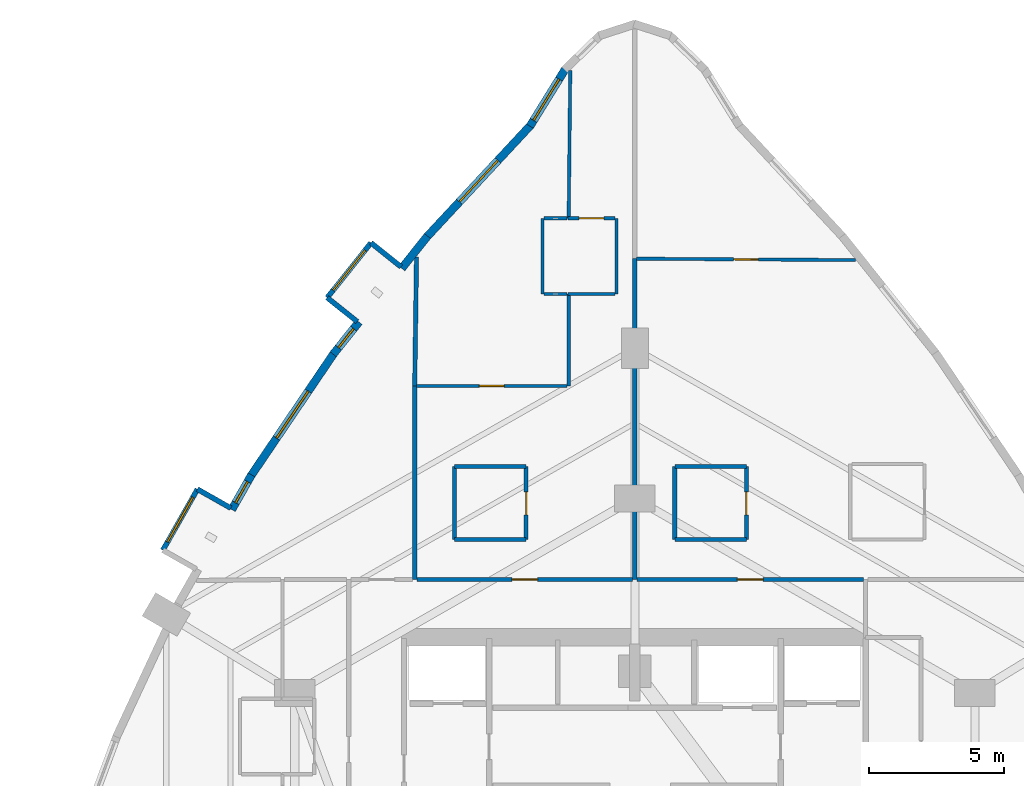
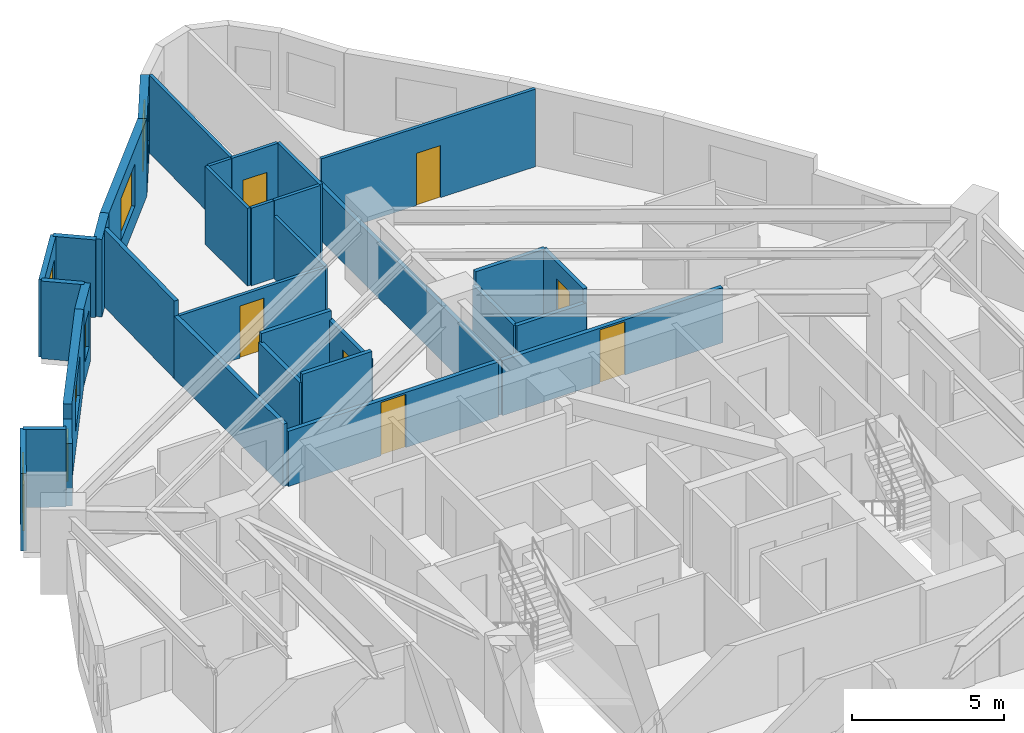
# One storey, part 13 of 15: 34 walls, 7 doors, 7 windows, 14 openings.
"""IFC4 building model written with IfcOpenShell, lengths in metres."""

from ifc_helpers import new_model, si_unit, direction, frame, frame_2d, origin, place, context, subcontext, project, spatial, rectangle, extrude, material, layer, layer_set, type_object, element, fill, save


model = new_model("IFC4")

# Units and contexts
model_context = context("Model", 3, precision=1e-05, world=origin(), true_north=direction((0.0, 1.0)))
body_context = subcontext(model_context, "Body", "Model", "MODEL_VIEW")
ifc_project = project(units=[si_unit("LENGTHUNIT", "METRE"), si_unit("AREAUNIT", "SQUARE_METRE"), si_unit("VOLUMEUNIT", "CUBIC_METRE"), si_unit("PLANEANGLEUNIT", "RADIAN"), si_unit("MASSUNIT", "GRAM", prefix="KILO")], contexts=[model_context])

# Site, building, storey
site_placement = place(None, origin())
site = spatial("IfcSite", under=ifc_project, at=site_placement, CompositionType="ELEMENT")
building_placement = place(site_placement, origin())
building = spatial("IfcBuilding", under=site, at=building_placement, Name="Miruveldt Soraemaru", CompositionType="ELEMENT")
storey_placement = place(building_placement, frame((0.0, 0.0, 32.60009765625)))
storey = spatial("IfcBuildingStorey", under=building, at=storey_placement, Name="L08", CompositionType="ELEMENT", Elevation=32.60009765625)

# Walls
ifc_material_1 = material(Name="White powder-coated aluminium EN AW-6060 T6", Category="aluminium")
ifc_layer_1 = layer(ifc_material_1, 0.18994140625, Name="White powder-coated aluminium EN AW-6060 T6", Category="aluminium")
ifc_layer_set_1 = layer_set([ifc_layer_1], Name="White powder-coated aluminium EN AW-6060 T6")
wall_type_1 = type_object("IfcWallType", Name="WALL-BAY-ALU190", PredefinedType="SOLIDWALL", material=ifc_layer_set_1)
for number, where, z_axis, x_axis, name in (
    (1, (35.338623046875, 66.18359375, 0.0), (0.0, 0.0, 1.0), (-0.781737193764, 0.623608017817, 0.0), "L08 Bay Window Side Cheek 1L"),
    (2, (32.60302734375, 65.039794921875, 0.0), (0.0, 0.0, 1.0), (0.781737193764, -0.623608017817, 0.0), "L08 Bay Window Side Cheek 1R"),
):
    element("IfcWall", number, at=place(storey_placement, frame(where, z_axis=z_axis, x_axis=x_axis)), inside=storey, type_object=wall_type_1, Name=name, PredefinedType="SOLIDWALL", context=body_context, shape_type="SweptSolid", body=[
        extrude(rectangle(XDim=1.425048828125, YDim=0.18994140625, at=frame_2d((0.71240234375, 0.0))), origin(), (0.0, 0.0, 1.0), 3.125),
    ])

# Wall, opening, window
wall_1_placement = place(storey_placement, frame((34.224609375, 67.072265625, 0.0), z_axis=(0.0, 0.0, 1.0), x_axis=(-0.623663926583, -0.781692590907, 0.0)))
wall_1 = element("IfcWall", 3, at=wall_1_placement, inside=storey, type_object=wall_type_1, Name="L08 Bay Window Front Frame 1", PredefinedType="SOLIDWALL", context=body_context, shape_type="SweptSolid", body=[
    extrude(rectangle(XDim=2.60009765625, YDim=0.18994140625, at=frame_2d((1.300048828125, 0.0))), origin(), (0.0, 0.0, 1.0), 3.125),
])
opening_1_placement = place(wall_1_placement, frame((0.35009765625, 0.0, 0.550048828125)))
opening_1 = element("IfcOpeningElement", 4, at=opening_1_placement, cuts=wall_1, Name="Opening WN-6", PredefinedType="OPENING", context=body_context, shape_type="SweptSolid", body=[
    extrude(rectangle(XDim=1.89990234375, YDim=1.85009765625, at=frame_2d((0.949951171875, 0.925048828125))), frame((0.0, 0.10498046875, 0.0), z_axis=(0.0, -1.0, 0.0), x_axis=(1.0, 0.0, 0.0)), (0.0, 0.0, 1.0), 0.2099609375),
])
ifc_material_2 = material(Name="Triple low-e insulated glazing", Category="glass")
window_type_1 = type_object("IfcWindowType", Name="WIN-BAYW-1900x1850", PartitioningType="SINGLE_PANEL", PredefinedType="WINDOW", material=ifc_material_2)
window_1_placement = place(opening_1_placement, origin())
window_1 = element("IfcWindow", 5, at=window_1_placement, inside=storey, type_object=window_type_1, Name="L08 Projecting Bay Window 1", OverallHeight=1.85009765625, OverallWidth=1.89990234375, PartitioningType="SINGLE_PANEL", PredefinedType="WINDOW", context=body_context, shape_type="SweptSolid", body=[
    extrude(rectangle(XDim=1.89990234375, YDim=1.85009765625, at=frame_2d((0.949951171875, 0.925048828125))), frame((0.0, 0.030029296875, 0.0), z_axis=(0.0, -1.0, 0.0), x_axis=(1.0, 0.0, 0.0)), (0.0, 0.0, 1.0), 0.06005859375),
])
fill(opening_1, window_1)

# Wall
wall_2_placement = place(storey_placement, frame((29.03466796875, 57.241943359375, 0.0), z_axis=(0.0, 0.0, 1.0), x_axis=(-0.869799191674, 0.493405883794, 0.0)))
element("IfcWall", 6, at=wall_2_placement, inside=storey, type_object=wall_type_1, Name="L08 Bay Window Side Cheek 2L", PredefinedType="SOLIDWALL", context=body_context, shape_type="SweptSolid", body=[
    extrude(rectangle(XDim=1.425048828125, YDim=0.18994140625, at=frame_2d((0.71240234375, 0.0))), origin(), (0.0, 0.0, 1.0), 3.125),
])

# Wall, opening, window
wall_3_placement = place(storey_placement, frame((27.795166015625, 57.945068359375, 0.0), z_axis=(0.0, 0.0, 1.0), x_axis=(-0.493396299813, -0.869804628253, 0.0)))
wall_3 = element("IfcWall", 7, at=wall_3_placement, inside=storey, type_object=wall_type_1, Name="L08 Bay Window Front Frame 2", PredefinedType="SOLIDWALL", context=body_context, shape_type="SweptSolid", body=[
    extrude(rectangle(XDim=2.600341796875, YDim=0.18994140625, at=frame_2d((1.30029296875, 0.0))), origin(), (0.0, 0.0, 1.0), 3.125),
])
opening_2_placement = place(wall_3_placement, frame((0.35009765625, 0.0, 0.550048828125)))
opening_2 = element("IfcOpeningElement", 8, at=opening_2_placement, cuts=wall_3, Name="Opening WN-6", PredefinedType="OPENING", context=body_context, shape_type="SweptSolid", body=[
    extrude(rectangle(XDim=1.89990234375, YDim=1.85009765625, at=frame_2d((0.949951171875, 0.925048828125))), frame((0.0, 0.10498046875, 0.0), z_axis=(0.0, -1.0, 0.0), x_axis=(1.0, 0.0, 0.0)), (0.0, 0.0, 1.0), 0.2099609375),
])
window_2_placement = place(opening_2_placement, origin())
window_2 = element("IfcWindow", 9, at=window_2_placement, inside=storey, type_object=window_type_1, Name="L08 Projecting Bay Window 2", OverallHeight=1.85009765625, OverallWidth=1.89990234375, PartitioningType="SINGLE_PANEL", PredefinedType="WINDOW", context=body_context, shape_type="SweptSolid", body=[
    extrude(rectangle(XDim=1.89990234375, YDim=1.85009765625, at=frame_2d((0.949951171875, 0.925048828125))), frame((0.0, 0.030029296875, 0.0), z_axis=(0.0, -1.0, 0.0), x_axis=(1.0, 0.0, 0.0)), (0.0, 0.0, 1.0), 0.06005859375),
])
fill(opening_2, window_2)

ifc_material_3 = material(Name="Precast concrete C45/55 (45 MPa)", Category="concrete")
ifc_layer_2 = layer(ifc_material_3, 0.300048828125, Name="Precast concrete C45/55 (45 MPa)", Category="concrete")
ifc_layer_set_2 = layer_set([ifc_layer_2], Name="Precast concrete C45/55 (45 MPa)")
wall_type_2 = type_object("IfcWallType", Name="WALL-EXT-PC300", PredefinedType="SOLIDWALL", material=ifc_layer_set_2)
wall_4_placement = place(storey_placement, frame((41.440185546875, 73.5361328125, 0.0), z_axis=(0.0, 0.0, 1.0), x_axis=(-0.526057803578, -0.850448815212, 0.0)))
wall_4 = element("IfcWall", 10, at=wall_4_placement, inside=storey, type_object=wall_type_2, Name="L08 Precast Concrete Facade Wall 6", PredefinedType="SOLIDWALL", context=body_context, shape_type="SweptSolid", body=[
    extrude(rectangle(XDim=2.5205078125, YDim=0.300048828125, at=frame_2d((1.26025390625, 0.0))), origin(), (0.0, 0.0, 1.0), 3.125),
])
opening_3_placement = place(wall_4_placement, frame((0.468994140625, 0.0, 0.800048828125)))
opening_3 = element("IfcOpeningElement", 11, at=opening_3_placement, cuts=wall_4, Name="Opening WN-2", PredefinedType="OPENING", context=body_context, shape_type="SweptSolid", body=[
    extrude(rectangle(XDim=1.800048828125, YDim=1.64990234375, at=frame_2d((0.89990234375, 0.824951171875))), frame((0.0, 0.16015625, 0.0), z_axis=(0.0, -1.0, 0.0), x_axis=(1.0, 0.0, 0.0)), (0.0, 0.0, 1.0), 0.320068359375),
])
window_type_2 = type_object("IfcWindowType", Name="WIN-PUNCH-1800x1650", PartitioningType="SINGLE_PANEL", PredefinedType="WINDOW", material=ifc_material_2)
window_3_placement = place(opening_3_placement, origin())
window_3 = element("IfcWindow", 12, at=window_3_placement, inside=storey, type_object=window_type_2, Name="L08 Punched Triple-Glazed Window 06.1", OverallHeight=1.64990234375, OverallWidth=1.800048828125, PartitioningType="SINGLE_PANEL", PredefinedType="WINDOW", context=body_context, shape_type="SweptSolid", body=[
    extrude(rectangle(XDim=1.800048828125, YDim=1.64990234375, at=frame_2d((0.89990234375, 0.824951171875))), frame((0.0, 0.030029296875, 0.0), z_axis=(0.0, -1.0, 0.0), x_axis=(1.0, 0.0, 0.0)), (0.0, 0.0, 1.0), 0.06005859375),
])
fill(opening_3, window_3)

wall_5_placement = place(storey_placement, frame((40.156494140625, 71.447998046875, 0.0), z_axis=(0.0, 0.0, 1.0), x_axis=(-0.680894211577, -0.732381780659, 0.0)))
wall_5 = element("IfcWall", 13, at=wall_5_placement, inside=storey, type_object=wall_type_2, Name="L08 Precast Concrete Facade Wall 7", PredefinedType="SOLIDWALL", context=body_context, shape_type="SweptSolid", body=[
    extrude(rectangle(XDim=5.704345703125, YDim=0.300048828125, at=frame_2d((2.85205078125, 0.0))), origin(), (0.0, 0.0, 1.0), 3.125),
])
opening_4_placement = place(wall_5_placement, frame((1.802001953125, 0.0, 0.800048828125)))
opening_4 = element("IfcOpeningElement", 14, at=opening_4_placement, cuts=wall_5, Name="Opening WN-1", PredefinedType="OPENING", context=body_context, shape_type="SweptSolid", body=[
    extrude(rectangle(XDim=2.10009765625, YDim=1.699951171875, at=frame_2d((1.050048828125, 0.85009765625))), frame((0.0, 0.16015625, 0.0), z_axis=(0.0, -1.0, 0.0), x_axis=(1.0, 0.0, 0.0)), (0.0, 0.0, 1.0), 0.320068359375),
])
window_type_3 = type_object("IfcWindowType", Name="WIN-PUNCH-2100x1700", PartitioningType="SINGLE_PANEL", PredefinedType="WINDOW", material=ifc_material_2)
window_4_placement = place(opening_4_placement, origin())
window_4 = element("IfcWindow", 15, at=window_4_placement, inside=storey, type_object=window_type_3, Name="L08 Punched Triple-Glazed Window 07.1", OverallHeight=1.699951171875, OverallWidth=2.10009765625, PartitioningType="SINGLE_PANEL", PredefinedType="WINDOW", context=body_context, shape_type="SweptSolid", body=[
    extrude(rectangle(XDim=2.10009765625, YDim=1.699951171875, at=frame_2d((1.050048828125, 0.85009765625))), frame((0.0, 0.030029296875, 0.0), z_axis=(0.0, -1.0, 0.0), x_axis=(1.0, 0.0, 0.0)), (0.0, 0.0, 1.0), 0.06005859375),
])
fill(opening_4, window_4)

# Wall
wall_6_placement = place(storey_placement, frame((36.318115234375, 67.3232421875, 0.0), z_axis=(0.0, 0.0, 1.0), x_axis=(-0.623625498771, -0.781723248524, 0.0)))
element("IfcWall", 16, at=wall_6_placement, inside=storey, type_object=wall_type_2, Name="L08 Precast Pier Wall 8A", PredefinedType="SOLIDWALL", context=body_context, shape_type="SweptSolid", body=[
    extrude(rectangle(XDim=1.531982421875, YDim=0.300048828125, at=frame_2d((0.76611328125, 0.0))), origin(), (0.0, 0.0, 1.0), 3.125),
])

# Wall, opening, window
wall_7_placement = place(storey_placement, frame((33.77880859375, 64.140380859375, 0.0), z_axis=(0.0, 0.0, 1.0), x_axis=(-0.623528092971, -0.781800944791, 0.0)))
wall_7 = element("IfcWall", 17, at=wall_7_placement, inside=storey, type_object=wall_type_2, Name="L08 Precast Pier Wall 8B", PredefinedType="SOLIDWALL", context=body_context, shape_type="SweptSolid", body=[
    extrude(rectangle(XDim=1.53173828125, YDim=0.300048828125, at=frame_2d((0.765869140625, 0.0))), origin(), (0.0, 0.0, 1.0), 3.125),
])
opening_5_placement = place(wall_7_placement, frame((0.31591796875, 0.0, 0.780029296875)))
opening_5 = element("IfcOpeningElement", 18, at=opening_5_placement, cuts=wall_7, Name="Opening WN-7", PredefinedType="OPENING", context=body_context, shape_type="SweptSolid", body=[
    extrude(rectangle(XDim=0.89990234375, YDim=1.5, at=frame_2d((0.449951171875, 0.75))), frame((0.0, 0.16015625, 0.0), z_axis=(0.0, -1.0, 0.0), x_axis=(1.0, 0.0, 0.0)), (0.0, 0.0, 1.0), 0.320068359375),
])
window_type_4 = type_object("IfcWindowType", Name="WIN-PUNCH-900x1500", PartitioningType="SINGLE_PANEL", PredefinedType="WINDOW", material=ifc_material_2)
window_5_placement = place(opening_5_placement, origin())
window_5 = element("IfcWindow", 19, at=window_5_placement, inside=storey, type_object=window_type_4, Name="L08 Punched Triple-Glazed Window 08B.1", OverallHeight=1.5, OverallWidth=0.89990234375, PartitioningType="SINGLE_PANEL", PredefinedType="WINDOW", context=body_context, shape_type="SweptSolid", body=[
    extrude(rectangle(XDim=0.89990234375, YDim=1.5, at=frame_2d((0.449951171875, 0.75))), frame((0.0, 0.030029296875, 0.0), z_axis=(0.0, -1.0, 0.0), x_axis=(1.0, 0.0, 0.0)), (0.0, 0.0, 1.0), 0.06005859375),
])
fill(opening_5, window_5)

wall_8_placement = place(storey_placement, frame((32.864990234375, 62.999267578125, 0.0), z_axis=(0.0, 0.0, 1.0), x_axis=(-0.560813032948, -0.827942475101, 0.0)))
wall_8 = element("IfcWall", 20, at=wall_8_placement, inside=storey, type_object=wall_type_2, Name="L08 Precast Concrete Facade Wall 9", PredefinedType="SOLIDWALL", context=body_context, shape_type="SweptSolid", body=[
    extrude(rectangle(XDim=5.534912109375, YDim=0.300048828125, at=frame_2d((2.767578125, 0.0))), origin(), (0.0, 0.0, 1.0), 3.125),
])
opening_6_placement = place(wall_8_placement, frame((1.718017578125, 0.0, 0.800048828125)))
opening_6 = element("IfcOpeningElement", 21, at=opening_6_placement, cuts=wall_8, Name="Opening WN-1", PredefinedType="OPENING", context=body_context, shape_type="SweptSolid", body=[
    extrude(rectangle(XDim=2.10009765625, YDim=1.699951171875, at=frame_2d((1.050048828125, 0.85009765625))), frame((0.0, 0.16015625, 0.0), z_axis=(0.0, -1.0, 0.0), x_axis=(1.0, 0.0, 0.0)), (0.0, 0.0, 1.0), 0.320068359375),
])
window_6_placement = place(opening_6_placement, origin())
window_6 = element("IfcWindow", 22, at=window_6_placement, inside=storey, type_object=window_type_3, Name="L08 Punched Triple-Glazed Window 09.1", OverallHeight=1.699951171875, OverallWidth=2.10009765625, PartitioningType="SINGLE_PANEL", PredefinedType="WINDOW", context=body_context, shape_type="SweptSolid", body=[
    extrude(rectangle(XDim=2.10009765625, YDim=1.699951171875, at=frame_2d((1.050048828125, 0.85009765625))), frame((0.0, 0.030029296875, 0.0), z_axis=(0.0, -1.0, 0.0), x_axis=(1.0, 0.0, 0.0)), (0.0, 0.0, 1.0), 0.06005859375),
])
fill(opening_6, window_6)

wall_9_placement = place(storey_placement, frame((29.7978515625, 58.47607421875, 0.0), z_axis=(0.0, 0.0, 1.0), x_axis=(-0.493382949602, -0.86981220102, 0.0)))
wall_9 = element("IfcWall", 23, at=wall_9_placement, inside=storey, type_object=wall_type_2, Name="L08 Precast Pier Wall 10A", PredefinedType="SOLIDWALL", context=body_context, shape_type="SweptSolid", body=[
    extrude(rectangle(XDim=1.47998046875, YDim=0.300048828125, at=frame_2d((0.739990234375, 0.0))), origin(), (0.0, 0.0, 1.0), 2.512939453125),
])
opening_7_placement = place(wall_9_placement, frame((0.2900390625, 0.0, 0.780029296875)))
opening_7 = element("IfcOpeningElement", 24, at=opening_7_placement, cuts=wall_9, Name="Opening WN-7", PredefinedType="OPENING", context=body_context, shape_type="SweptSolid", body=[
    extrude(rectangle(XDim=0.89990234375, YDim=1.5, at=frame_2d((0.449951171875, 0.75))), frame((0.0, 0.16015625, 0.0), z_axis=(0.0, -1.0, 0.0), x_axis=(1.0, 0.0, 0.0)), (0.0, 0.0, 1.0), 0.320068359375),
])
window_7_placement = place(opening_7_placement, origin())
window_7 = element("IfcWindow", 25, at=window_7_placement, inside=storey, type_object=window_type_4, Name="L08 Punched Triple-Glazed Window 10A.1", OverallHeight=1.5, OverallWidth=0.89990234375, PartitioningType="SINGLE_PANEL", PredefinedType="WINDOW", context=body_context, shape_type="SweptSolid", body=[
    extrude(rectangle(XDim=0.89990234375, YDim=1.5, at=frame_2d((0.449951171875, 0.75))), frame((0.0, 0.030029296875, 0.0), z_axis=(0.0, -1.0, 0.0), x_axis=(1.0, 0.0, 0.0)), (0.0, 0.0, 1.0), 0.06005859375),
])
fill(opening_7, window_7)

# Wall, opening, door
ifc_material_4 = material(Name="Gypsum plasterboard lining", Category="gypsum")
ifc_layer_3 = layer(ifc_material_4, 0.1201171875, Name="Gypsum plasterboard lining", Category="gypsum")
ifc_layer_set_3 = layer_set([ifc_layer_3], Name="Gypsum plasterboard lining")
wall_type_3 = type_object("IfcWallType", Name="WALL-INT-P120", PredefinedType="PARTITIONING", material=ifc_layer_set_3)
wall_10_placement = place(storey_placement, frame((52.18310546875, 66.430908203125, 0.0), z_axis=(0.0, 0.0, 1.0), x_axis=(-0.999978732433, 0.006521861774, 0.0)))
wall_10 = element("IfcWall", 26, at=wall_10_placement, inside=storey, type_object=wall_type_3, Name="L08 Partition Wall 39", PredefinedType="PARTITIONING", context=body_context, shape_type="SweptSolid", body=[
    extrude(rectangle(XDim=8.123291015625, YDim=0.1201171875, at=frame_2d((4.0615234375, 0.0))), origin(), (0.0, 0.0, 1.0), 3.125),
])
opening_8_placement = place(wall_10_placement, frame((3.60205078125, 0.0, 0.0)))
opening_8 = element("IfcOpeningElement", 27, at=opening_8_placement, cuts=wall_10, Name="Opening D3A", PredefinedType="OPENING", context=body_context, shape_type="SweptSolid", body=[
    extrude(rectangle(XDim=0.919921875, YDim=2.10009765625, at=frame_2d((0.4599609375, 1.050048828125))), frame((0.0, 0.070068359375, 0.0), z_axis=(0.0, -1.0, 0.0), x_axis=(1.0, 0.0, 0.0)), (0.0, 0.0, 1.0), 0.14013671875),
])
ifc_material_5 = material(Name="Anodised aluminium EN AW-6063 T6", Category="aluminium")
door_type_1 = type_object("IfcDoorType", Name="DOOR-INT-920", OperationType="NOTDEFINED", PredefinedType="DOOR", material=ifc_material_5)
door_1_placement = place(opening_8_placement, origin())
door_1 = element("IfcDoor", 28, at=door_1_placement, inside=storey, type_object=door_type_1, Name="L08 Unit CL03 DIN Door", OperationType="SINGLE_SWING_LEFT", OverallHeight=2.10009765625, OverallWidth=0.919921875, PredefinedType="DOOR", context=body_context, shape_type="SweptSolid", body=[
    extrude(rectangle(XDim=0.919921875, YDim=2.10009765625, at=frame_2d((0.4599609375, 1.050048828125))), frame((0.0, 0.02490234375, 0.0), z_axis=(0.0, -1.0, 0.0), x_axis=(1.0, 0.0, 0.0)), (0.0, 0.0, 1.0), 0.050048828125),
])
fill(opening_8, door_1)

wall_11_placement = place(storey_placement, frame((41.489990234375, 61.77099609375, 0.0), z_axis=(0.0, 0.0, 1.0), x_axis=(-1.0, 0.0, 0.0)))
wall_11 = element("IfcWall", 29, at=wall_11_placement, inside=storey, type_object=wall_type_3, Name="L08 Partition Wall 25", PredefinedType="PARTITIONING", context=body_context, shape_type="SweptSolid", body=[
    extrude(rectangle(XDim=5.583984375, YDim=0.1201171875, at=frame_2d((2.7919921875, 0.0))), origin(), (0.0, 0.0, 1.0), 2.512939453125),
])
opening_9_placement = place(wall_11_placement, frame((2.33203125, 0.0, 0.0)))
opening_9 = element("IfcOpeningElement", 30, at=opening_9_placement, cuts=wall_11, Name="Opening D3A", PredefinedType="OPENING", context=body_context, shape_type="SweptSolid", body=[
    extrude(rectangle(XDim=0.919921875, YDim=2.10009765625, at=frame_2d((0.4599609375, 1.050048828125))), frame((0.0, 0.070068359375, 0.0), z_axis=(0.0, -1.0, 0.0), x_axis=(1.0, 0.0, 0.0)), (0.0, 0.0, 1.0), 0.14013671875),
])
door_2_placement = place(opening_9_placement, origin())
door_2 = element("IfcDoor", 31, at=door_2_placement, inside=storey, type_object=door_type_1, Name="L08 Unit 0802 BD1 Door", OperationType="SINGLE_SWING_LEFT", OverallHeight=2.10009765625, OverallWidth=0.919921875, PredefinedType="DOOR", context=body_context, shape_type="SweptSolid", body=[
    extrude(rectangle(XDim=0.919921875, YDim=2.10009765625, at=frame_2d((0.4599609375, 1.050048828125))), frame((0.0, 0.02490234375, 0.0), z_axis=(0.0, -1.0, 0.0), x_axis=(1.0, 0.0, 0.0)), (0.0, 0.0, 1.0), 0.050048828125),
])
fill(opening_9, door_2)

wall_12_placement = place(storey_placement, frame((43.26611328125, 67.97998046875, 0.0), z_axis=(0.0, 0.0, 1.0), x_axis=(-1.0, 0.0, 0.0)))
wall_12 = element("IfcWall", 32, at=wall_12_placement, inside=storey, type_object=wall_type_3, Name="L08 Partition Wall 21", PredefinedType="PARTITIONING", context=body_context, shape_type="SweptSolid", body=[
    extrude(rectangle(XDim=1.74609375, YDim=0.1201171875, at=frame_2d((0.873046875, 0.0))), origin(), (0.0, 0.0, 1.0), 3.125),
])
opening_10_placement = place(wall_12_placement, frame((0.4130859375, 0.0, 0.0)))
opening_10 = element("IfcOpeningElement", 33, at=opening_10_placement, cuts=wall_12, Name="Opening D3A", PredefinedType="OPENING", context=body_context, shape_type="SweptSolid", body=[
    extrude(rectangle(XDim=0.919921875, YDim=2.10009765625, at=frame_2d((0.4599609375, 1.050048828125))), frame((0.0, 0.070068359375, 0.0), z_axis=(0.0, -1.0, 0.0), x_axis=(1.0, 0.0, 0.0)), (0.0, 0.0, 1.0), 0.14013671875),
])
door_3_placement = place(opening_10_placement, origin())
door_3 = element("IfcDoor", 34, at=door_3_placement, inside=storey, type_object=door_type_1, Name="L08 Unit 0802 KIT Door", OperationType="SINGLE_SWING_RIGHT", OverallHeight=2.10009765625, OverallWidth=0.919921875, PredefinedType="DOOR", context=body_context, shape_type="SweptSolid", body=[
    extrude(rectangle(XDim=0.919921875, YDim=2.10009765625, at=frame_2d((0.4599609375, 1.050048828125))), frame((0.0, 0.02490234375, 0.0), z_axis=(0.0, -1.0, 0.0), x_axis=(1.0, 0.0, 0.0)), (0.0, 0.0, 1.0), 0.050048828125),
])
fill(opening_10, door_3)

# Walls
wall_13_placement = place(storey_placement, frame((41.60888671875, 73.4580078125, 0.0), z_axis=(0.0, 0.0, 1.0), x_axis=(-0.010740088242, -0.999942323589, 0.0)))
element("IfcWall", 35, at=wall_13_placement, inside=storey, type_object=wall_type_3, Name="L08 Partition Wall 23", PredefinedType="PARTITIONING", context=body_context, shape_type="SweptSolid", body=[
    extrude(rectangle(XDim=5.478271484375, YDim=0.1201171875, at=frame_2d((2.7392578125, 0.0))), origin(), (0.0, 0.0, 1.0), 3.125),
])
wall_14_placement = place(storey_placement, frame((41.550048828125, 65.179931640625, 0.0), z_axis=(0.0, 0.0, 1.0), x_axis=(0.0, -1.0, 0.0)))
element("IfcWall", 36, at=wall_14_placement, inside=storey, type_object=wall_type_3, Name="L08 Partition Wall 24", PredefinedType="PARTITIONING", context=body_context, shape_type="SweptSolid", body=[
    extrude(rectangle(XDim=3.408935546875, YDim=0.1201171875, at=frame_2d((1.70458984375, 0.0))), origin(), (0.0, 0.0, 1.0), 2.512939453125),
])
for number, where, z_axis, x_axis, name in (
    (37, (43.325927734375, 65.179931640625, 0.0), (0.0, 0.0, 1.0), (0.0, 1.0, 0.0), "L08 Partition Wall 20"),
    (38, (40.575927734375, 67.97998046875, 0.0), (0.0, 0.0, 1.0), (0.0, -1.0, 0.0), "L08 Partition Wall 29"),
):
    element("IfcWall", number, at=place(storey_placement, frame(where, z_axis=z_axis, x_axis=x_axis)), inside=storey, type_object=wall_type_3, Name=name, PredefinedType="PARTITIONING", context=body_context, shape_type="SweptSolid", body=[
        extrude(rectangle(XDim=2.800048828125, YDim=0.1201171875, at=frame_2d((1.39990234375, 0.0))), origin(), (0.0, 0.0, 1.0), 3.125),
    ])
wall_15_placement = place(storey_placement, frame((41.52001953125, 65.179931640625, 0.0), z_axis=(0.0, 0.0, 1.0), x_axis=(1.0, 0.0, 0.0)))
element("IfcWall", 39, at=wall_15_placement, inside=storey, type_object=wall_type_3, Name="L08 Partition Wall 22", PredefinedType="PARTITIONING", context=body_context, shape_type="SweptSolid", body=[
    extrude(rectangle(XDim=1.74609375, YDim=0.1201171875, at=frame_2d((0.873046875, 0.0))), origin(), (0.0, 0.0, 1.0), 3.125),
])
for number, where, z_axis, x_axis, name in (
    (40, (41.489990234375, 67.97998046875, 0.0), (0.0, 0.0, 1.0), (-1.0, 0.0, 0.0), "L08 Partition Wall 28"),
    (41, (40.635986328125, 65.179931640625, 0.0), (0.0, 0.0, 1.0), (1.0, 0.0, 0.0), "L08 Partition Wall 30"),
):
    element("IfcWall", number, at=place(storey_placement, frame(where, z_axis=z_axis, x_axis=x_axis)), inside=storey, type_object=wall_type_3, Name=name, PredefinedType="PARTITIONING", context=body_context, shape_type="SweptSolid", body=[
        extrude(rectangle(XDim=0.85400390625, YDim=0.1201171875, at=frame_2d((0.427001953125, 0.0))), origin(), (0.0, 0.0, 1.0), 3.125),
    ])

# Wall, opening, door
ifc_layer_4 = layer(ifc_material_4, 0.14990234375, Name="Gypsum plasterboard lining", Category="gypsum")
ifc_layer_set_4 = layer_set([ifc_layer_4], Name="Gypsum plasterboard lining")
wall_type_4 = type_object("IfcWallType", Name="WALL-INT-PLUMB", PredefinedType="PLUMBINGWALL", material=ifc_layer_set_4)
wall_16_placement = place(storey_placement, frame((39.97607421875, 56.080078125, 0.0), z_axis=(0.0, 0.0, 1.0), x_axis=(0.0, 1.0, 0.0)))
wall_16 = element("IfcWall", 42, at=wall_16_placement, inside=storey, type_object=wall_type_4, Name="L08 Partition Wall 16", PredefinedType="PLUMBINGWALL", context=body_context, shape_type="SweptSolid", body=[
    extrude(rectangle(XDim=2.699951171875, YDim=0.14990234375, at=frame_2d((1.35009765625, 0.0))), origin(), (0.0, 0.0, 1.0), 2.762939453125),
])
opening_11_placement = place(wall_16_placement, frame((0.909912109375, 0.0, 0.0)))
opening_11 = element("IfcOpeningElement", 43, at=opening_11_placement, cuts=wall_16, Name="Opening FD3", PredefinedType="OPENING", context=body_context, shape_type="SweptSolid", body=[
    extrude(rectangle(XDim=0.85009765625, YDim=2.10009765625, at=frame_2d((0.425048828125, 1.050048828125))), frame((0.0, 0.0849609375, 0.0), z_axis=(0.0, -1.0, 0.0), x_axis=(1.0, 0.0, 0.0)), (0.0, 0.0, 1.0), 0.169921875),
])
door_type_2 = type_object("IfcDoorType", Name="DOOR-FD3-850", OperationType="NOTDEFINED", PredefinedType="DOOR", material=ifc_material_5)
door_4_placement = place(opening_11_placement, origin())
door_4 = element("IfcDoor", 44, at=door_4_placement, inside=storey, type_object=door_type_2, Name="L08 Unit 0802 BTH Door", OperationType="SINGLE_SWING_LEFT", OverallHeight=2.10009765625, OverallWidth=0.85009765625, PredefinedType="DOOR", context=body_context, shape_type="SweptSolid", body=[
    extrude(rectangle(XDim=0.85009765625, YDim=2.10009765625, at=frame_2d((0.425048828125, 1.050048828125))), frame((0.0, 0.02490234375, 0.0), z_axis=(0.0, -1.0, 0.0), x_axis=(1.0, 0.0, 0.0)), (0.0, 0.0, 1.0), 0.050048828125),
])
fill(opening_11, door_4)

wall_17_placement = place(storey_placement, frame((48.1298828125, 56.080078125, 0.0), z_axis=(0.0, 0.0, 1.0), x_axis=(0.0, 1.0, 0.0)))
wall_17 = element("IfcWall", 45, at=wall_17_placement, inside=storey, type_object=wall_type_4, Name="L08 Partition Wall 31", PredefinedType="PLUMBINGWALL", context=body_context, shape_type="SweptSolid", body=[
    extrude(rectangle(XDim=2.699951171875, YDim=0.14990234375, at=frame_2d((1.35009765625, 0.0))), origin(), (0.0, 0.0, 1.0), 2.762939453125),
])
opening_12_placement = place(wall_17_placement, frame((0.909912109375, 0.0, 0.0)))
opening_12 = element("IfcOpeningElement", 46, at=opening_12_placement, cuts=wall_17, Name="Opening FD3", PredefinedType="OPENING", context=body_context, shape_type="SweptSolid", body=[
    extrude(rectangle(XDim=0.85009765625, YDim=2.10009765625, at=frame_2d((0.425048828125, 1.050048828125))), frame((0.0, 0.0849609375, 0.0), z_axis=(0.0, -1.0, 0.0), x_axis=(1.0, 0.0, 0.0)), (0.0, 0.0, 1.0), 0.169921875),
])
door_5_placement = place(opening_12_placement, origin())
door_5 = element("IfcDoor", 47, at=door_5_placement, inside=storey, type_object=door_type_2, Name="L08 Unit CL03 BTH Door", OperationType="SINGLE_SWING_LEFT", OverallHeight=2.10009765625, OverallWidth=0.85009765625, PredefinedType="DOOR", context=body_context, shape_type="SweptSolid", body=[
    extrude(rectangle(XDim=0.85009765625, YDim=2.10009765625, at=frame_2d((0.425048828125, 1.050048828125))), frame((0.0, 0.02490234375, 0.0), z_axis=(0.0, -1.0, 0.0), x_axis=(1.0, 0.0, 0.0)), (0.0, 0.0, 1.0), 0.050048828125),
])
fill(opening_12, door_5)

# Walls
wall_18_placement = place(storey_placement, frame((37.325927734375, 58.780029296875, 0.0), z_axis=(0.0, 0.0, 1.0), x_axis=(0.0, -1.0, 0.0)))
element("IfcWall", 48, at=wall_18_placement, inside=storey, type_object=wall_type_4, Name="L08 Partition Wall 18", PredefinedType="PLUMBINGWALL", context=body_context, shape_type="SweptSolid", body=[
    extrude(rectangle(XDim=2.699951171875, YDim=0.14990234375, at=frame_2d((1.35009765625, 0.0))), origin(), (0.0, 0.0, 1.0), 2.762939453125),
])
wall_19_placement = place(storey_placement, frame((45.47998046875, 58.780029296875, 0.0), z_axis=(0.0, 0.0, 1.0), x_axis=(0.0, -1.0, 0.0)))
element("IfcWall", 49, at=wall_19_placement, inside=storey, type_object=wall_type_4, Name="L08 Partition Wall 33", PredefinedType="PLUMBINGWALL", context=body_context, shape_type="SweptSolid", body=[
    extrude(rectangle(XDim=2.699951171875, YDim=0.14990234375, at=frame_2d((1.35009765625, 0.0))), origin(), (0.0, 0.0, 1.0), 2.219970703125),
])
wall_20_placement = place(storey_placement, frame((48.1298828125, 58.780029296875, 0.0), z_axis=(0.0, 0.0, 1.0), x_axis=(-1.0, 0.0, 0.0)))
element("IfcWall", 50, at=wall_20_placement, inside=storey, type_object=wall_type_4, Name="L08 Partition Wall 32", PredefinedType="PLUMBINGWALL", context=body_context, shape_type="SweptSolid", body=[
    extrude(rectangle(XDim=2.64990234375, YDim=0.14990234375, at=frame_2d((1.324951171875, 0.0))), origin(), (0.0, 0.0, 1.0), 2.762939453125),
])
wall_21_placement = place(storey_placement, frame((45.47998046875, 56.080078125, 0.0), z_axis=(0.0, 0.0, 1.0), x_axis=(1.0, 0.0, 0.0)))
element("IfcWall", 51, at=wall_21_placement, inside=storey, type_object=wall_type_4, Name="L08 Partition Wall 34", PredefinedType="PLUMBINGWALL", context=body_context, shape_type="SweptSolid", body=[
    extrude(rectangle(XDim=2.64990234375, YDim=0.14990234375, at=frame_2d((1.324951171875, 0.0))), origin(), (0.0, 0.0, 1.0), 2.219970703125),
])
for number, where, z_axis, x_axis, name in (
    (52, (39.97607421875, 58.780029296875, 0.0), (0.0, 0.0, 1.0), (-1.0, 0.0, 0.0), "L08 Partition Wall 17"),
    (53, (37.325927734375, 56.080078125, 0.0), (0.0, 0.0, 1.0), (1.0, 0.0, 0.0), "L08 Partition Wall 19"),
):
    element("IfcWall", number, at=place(storey_placement, frame(where, z_axis=z_axis, x_axis=x_axis)), inside=storey, type_object=wall_type_4, Name=name, PredefinedType="PLUMBINGWALL", context=body_context, shape_type="SweptSolid", body=[
        extrude(rectangle(XDim=2.650146484375, YDim=0.14990234375, at=frame_2d((1.3251953125, 0.0))), origin(), (0.0, 0.0, 1.0), 3.125),
    ])

# Wall, opening, door
ifc_material_6 = material(Name="Concrete C40/50 (40 MPa)", Category="concrete")
ifc_layer_5 = layer(ifc_material_6, 0.159912109375, Name="Concrete C40/50 (40 MPa)", Category="concrete")
ifc_layer_set_5 = layer_set([ifc_layer_5], Name="Concrete C40/50 (40 MPa)")
wall_type_5 = type_object("IfcWallType", Name="WALL-INT-RC160", PredefinedType="SOLIDWALL", material=ifc_layer_set_5)
wall_22_placement = place(storey_placement, frame((52.469970703125, 54.60009765625, 0.0), z_axis=(0.0, 0.0, 1.0), x_axis=(-1.0, 0.0, 0.0)))
wall_22 = element("IfcWall", 54, at=wall_22_placement, inside=storey, type_object=wall_type_5, Name="L08 Partition Wall 3", PredefinedType="SOLIDWALL", context=body_context, shape_type="SweptSolid", body=[
    extrude(rectangle(XDim=8.389892578125, YDim=0.159912109375, at=frame_2d((4.19482421875, 0.0))), origin(), (0.0, 0.0, 1.0), 2.219970703125),
])
opening_13_placement = place(wall_22_placement, frame((3.719970703125, 0.0, 0.0)))
opening_13 = element("IfcOpeningElement", 55, at=opening_13_placement, cuts=wall_22, Name="Opening FD2", PredefinedType="OPENING", context=body_context, shape_type="SweptSolid", body=[
    extrude(rectangle(XDim=0.949951171875, YDim=2.14990234375, at=frame_2d((0.47509765625, 1.074951171875))), frame((0.0, 0.08984375, 0.0), z_axis=(0.0, -1.0, 0.0), x_axis=(1.0, 0.0, 0.0)), (0.0, 0.0, 1.0), 0.179931640625),
])
door_type_3 = type_object("IfcDoorType", Name="DOOR-FD2-950", OperationType="NOTDEFINED", PredefinedType="DOOR", material=ifc_material_5)
door_6_placement = place(opening_13_placement, origin())
door_6 = element("IfcDoor", 56, at=door_6_placement, inside=storey, type_object=door_type_3, Name="L08 Unit CL03 Entrance Fire Door", OperationType="SINGLE_SWING_RIGHT", OverallHeight=2.14990234375, OverallWidth=0.949951171875, PredefinedType="DOOR", context=body_context, shape_type="SweptSolid", body=[
    extrude(rectangle(XDim=0.949951171875, YDim=2.14990234375, at=frame_2d((0.47509765625, 1.074951171875))), frame((0.0, 0.02490234375, 0.0), z_axis=(0.0, -1.0, 0.0), x_axis=(1.0, 0.0, 0.0)), (0.0, 0.0, 1.0), 0.050048828125),
])
fill(opening_13, door_6)

wall_23_placement = place(storey_placement, frame((43.919921875, 54.60009765625, 0.0), z_axis=(0.0, 0.0, 1.0), x_axis=(-1.0, 0.0, 0.0)))
wall_23 = element("IfcWall", 57, at=wall_23_placement, inside=storey, type_object=wall_type_5, Name="L08 Partition Wall 2", PredefinedType="SOLIDWALL", context=body_context, shape_type="SweptSolid", body=[
    extrude(rectangle(XDim=7.993896484375, YDim=0.159912109375, at=frame_2d((3.9970703125, 0.0))), origin(), (0.0, 0.0, 1.0), 2.219970703125),
])
opening_14_placement = place(wall_23_placement, frame((3.52197265625, 0.0, 0.0)))
opening_14 = element("IfcOpeningElement", 58, at=opening_14_placement, cuts=wall_23, Name="Opening FD2", PredefinedType="OPENING", context=body_context, shape_type="SweptSolid", body=[
    extrude(rectangle(XDim=0.949951171875, YDim=2.14990234375, at=frame_2d((0.47509765625, 1.074951171875))), frame((0.0, 0.08984375, 0.0), z_axis=(0.0, -1.0, 0.0), x_axis=(1.0, 0.0, 0.0)), (0.0, 0.0, 1.0), 0.179931640625),
])
door_7_placement = place(opening_14_placement, origin())
door_7 = element("IfcDoor", 59, at=door_7_placement, inside=storey, type_object=door_type_3, Name="L08 Unit 0802 Entrance Fire Door", OperationType="SINGLE_SWING_RIGHT", OverallHeight=2.14990234375, OverallWidth=0.949951171875, PredefinedType="DOOR", context=body_context, shape_type="SweptSolid", body=[
    extrude(rectangle(XDim=0.949951171875, YDim=2.14990234375, at=frame_2d((0.47509765625, 1.074951171875))), frame((0.0, 0.02490234375, 0.0), z_axis=(0.0, -1.0, 0.0), x_axis=(1.0, 0.0, 0.0)), (0.0, 0.0, 1.0), 0.050048828125),
])
fill(opening_14, door_7)

# Walls
wall_24_placement = place(storey_placement, frame((44.0, 54.60009765625, 0.0), z_axis=(0.0, 0.0, 1.0), x_axis=(0.0, 1.0, 0.0)))
element("IfcWall", 60, at=wall_24_placement, inside=storey, type_object=wall_type_5, Name="L08 Partition Wall 26", PredefinedType="SOLIDWALL", context=body_context, shape_type="SweptSolid", body=[
    extrude(rectangle(XDim=11.8837890625, YDim=0.159912109375, at=frame_2d((5.94189453125, 0.0))), origin(), (0.0, 0.0, 1.0), 2.219970703125),
])
wall_25_placement = place(storey_placement, frame((35.845947265625, 54.60009765625, 0.0), z_axis=(0.0, 0.0, 1.0), x_axis=(0.0, 1.0, 0.0)))
element("IfcWall", 61, at=wall_25_placement, inside=storey, type_object=wall_type_5, Name="L08 Partition Wall 12", PredefinedType="SOLIDWALL", context=body_context, shape_type="SweptSolid", body=[
    extrude(rectangle(XDim=7.1708984375, YDim=0.159912109375, at=frame_2d((3.58544921875, 0.0))), origin(), (0.0, 0.0, 1.0), 2.512939453125),
])
wall_26_placement = place(storey_placement, frame((35.845947265625, 61.77099609375, 0.0), z_axis=(0.0, 0.0, 1.0), x_axis=(0.013842862508, 0.999904182988, 0.0)))
element("IfcWall", 62, at=wall_26_placement, inside=storey, type_object=wall_type_5, Name="L08 Partition Wall 13", PredefinedType="SOLIDWALL", context=body_context, shape_type="SweptSolid", body=[
    extrude(rectangle(XDim=4.779541015625, YDim=0.159912109375, at=frame_2d((2.3896484375, 0.0))), origin(), (0.0, 0.0, 1.0), 3.125),
])

save(model, "model.ifc")
